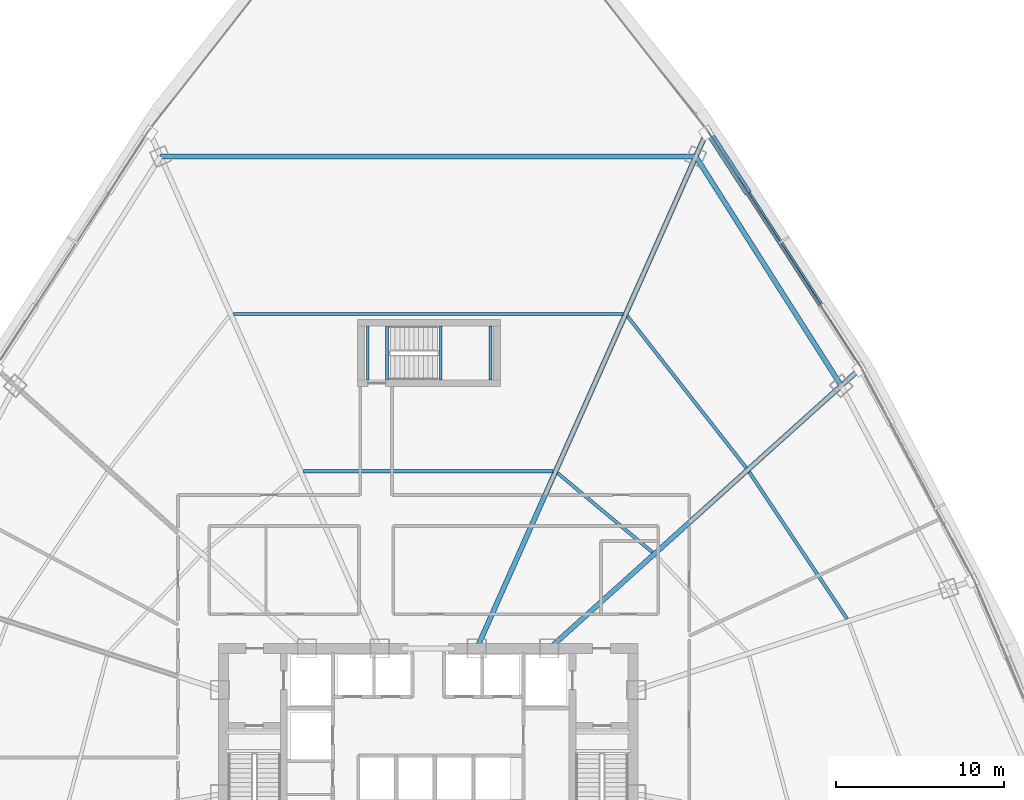
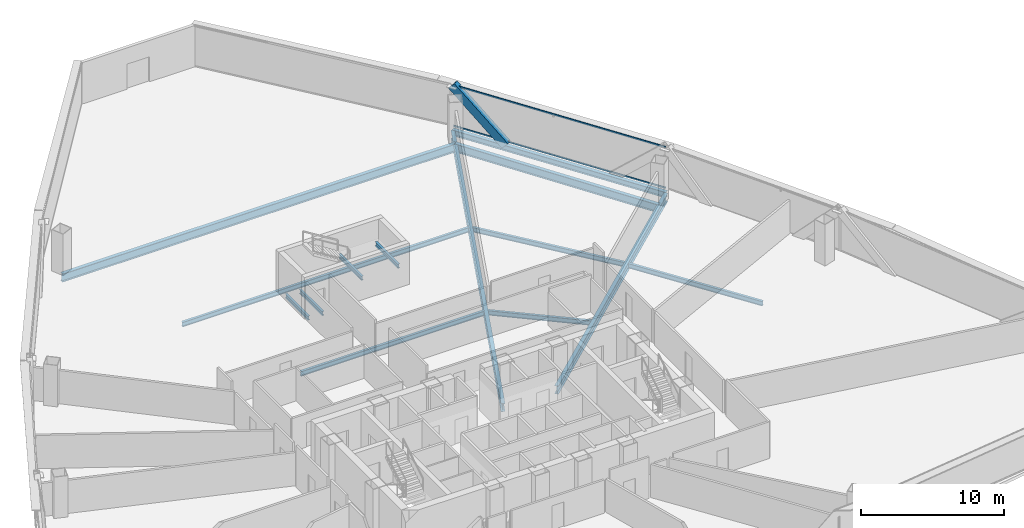
# One storey, part 17 of 36: 14 beams, 3 members, 1 element without a shape of its own.
"""IFC4 building model written with IfcOpenShell, lengths in metres."""

from ifc_helpers import new_model, si_unit, direction, frame, origin, origin_2d, place, context, subcontext, project, spatial, hollow_rectangle, i_section, extrude, source, transform, mapped, material, layer, layer_set, material_profile, profile_set, type_object, element, aggregate, save


model = new_model("IFC4")

# Units and contexts
model_context = context("Model", 3, precision=1e-05, world=origin(), true_north=direction((0.0, 1.0)))
body_context = subcontext(model_context, "Body", "Model", "MODEL_VIEW")
ifc_project = project(units=[si_unit("LENGTHUNIT", "METRE"), si_unit("AREAUNIT", "SQUARE_METRE"), si_unit("VOLUMEUNIT", "CUBIC_METRE"), si_unit("PLANEANGLEUNIT", "RADIAN"), si_unit("MASSUNIT", "GRAM", prefix="KILO"), si_unit("THERMODYNAMICTEMPERATUREUNIT", "KELVIN"), si_unit("POWERUNIT", "WATT")], contexts=[model_context])

# Site, building, storey
site_placement = place(None, origin())
site = spatial("IfcSite", under=ifc_project, at=site_placement, CompositionType="ELEMENT")
building_placement = place(site_placement, origin())
building = spatial("IfcBuilding", under=site, at=building_placement, Name="Yunzhuo Pagoda Commons", CompositionType="ELEMENT")
storey_placement = place(building_placement, frame((0.0, 0.0, 107.780029296875)))
storey = spatial("IfcBuildingStorey", under=building, at=storey_placement, Name="L27", CompositionType="ELEMENT", Elevation=107.780029296875)

# Beams
ifc_material_1 = material(Name="Structural steel Q355B", Category="steel")
ifc_material_profile_1 = material_profile(ifc_material_1, i_section(OverallWidth=0.175048828125, OverallDepth=0.35009765625, WebThickness=0.007080078125, FlangeThickness=0.010986328125, at=origin_2d()), Name="Structural steel Q355B")
ifc_profile_set_1 = profile_set([ifc_material_profile_1], Name="Structural steel Q355B")
beam_type_1 = type_object("IfcBeamType", Name="B-JS2 Joist HN 350x175x7x11", PredefinedType="JOIST", material=ifc_profile_set_1)
shared_shape_1 = source(origin(), body_context, "Body", "SweptSolid", [
    extrude(i_section(OverallWidth=0.175048828125, OverallDepth=0.35009765625, WebThickness=0.007080078125, FlangeThickness=0.010986328125, at=origin_2d()), origin(), (0.0, 0.0, 1.0), 3.199951171875),
])
for number, where, z_axis, x_axis, name in (
    (1, (48.75, 56.199951171875, 1.52490234375), (0.0, 1.0, 0.0), (-1.0, 0.0, 0.0), "L27 ST3 landing support beam 33A"),
    (2, (51.699951171875, 56.199951171875, 1.52490234375), (0.0, 1.0, 0.0), (-1.0, 0.0, 0.0), "L27 ST3 landing support beam 33B"),
    (3, (44.39990234375, 56.199951171875, -0.375), (0.0, 1.0, 0.0), (-1.0, 0.0, 0.0), "L27 ST3 landing support beam 101A"),
    (4, (45.550048828125, 56.199951171875, -0.375), (0.0, 1.0, 0.0), (-1.0, 0.0, 0.0), "L27 ST3 landing support beam 101B"),
):
    element("IfcBeam", number, at=place(storey_placement, frame(where, z_axis=z_axis, x_axis=x_axis)), inside=storey, type_object=beam_type_1, Name=name, PredefinedType="JOIST", context=body_context, shape_type="MappedRepresentation", body=[
        mapped(shared_shape_1, transform((0.0, 0.0, 0.0), scale=1.0)),
    ])
ifc_material_profile_2 = material_profile(ifc_material_1, i_section(OverallWidth=0.300048828125, OverallDepth=0.699951171875, WebThickness=0.012939453125, FlangeThickness=0.02392578125, at=origin_2d()), Name="Structural steel Q355B")
ifc_profile_set_2 = profile_set([ifc_material_profile_2], Name="Structural steel Q355B")
beam_type_2 = type_object("IfcBeamType", Name="B-RG1 Beam HN 700x300x13x24", PredefinedType="BEAM", material=ifc_profile_set_2)
shared_shape_2 = source(origin(), body_context, "Body", "SweptSolid", [
    extrude(i_section(OverallWidth=0.300048828125, OverallDepth=0.699951171875, WebThickness=0.012939453125, FlangeThickness=0.02392578125, at=origin_2d()), origin(), (0.0, 0.0, 1.0), 16.16845703125),
])
beam_1_placement = place(storey_placement, frame((72.602783203125, 55.852294921875, -0.610107421875), z_axis=(-0.535695673154, 0.844411123662, 0.0), x_axis=(-0.844411123662, -0.535695673154, 0.0)))
element("IfcBeam", 5, at=beam_1_placement, inside=storey, type_object=beam_type_2, Name="L27 column-ring beam 7", PredefinedType="BEAM", context=body_context, shape_type="MappedRepresentation", body=[
    mapped(shared_shape_2, transform((0.0, 0.0, 0.0), scale=1.0)),
])
shared_shape_3 = source(origin(), body_context, "Body", "SweptSolid", [
    extrude(i_section(OverallWidth=0.300048828125, OverallDepth=0.699951171875, WebThickness=0.012939453125, FlangeThickness=0.02392578125, at=origin_2d()), origin(), (0.0, 0.0, 1.0), 31.8828125),
])
beam_2_placement = place(storey_placement, frame((63.94140625, 69.505126953125, -0.610107421875), z_axis=(-1.0, 0.0, 0.0), x_axis=(0.0, -1.0, 0.0)))
element("IfcBeam", 6, at=beam_2_placement, inside=storey, type_object=beam_type_2, Name="L27 column-ring beam 8", PredefinedType="BEAM", context=body_context, shape_type="MappedRepresentation", body=[
    mapped(shared_shape_3, transform((0.0, 0.0, 0.0), scale=1.0)),
])
ifc_material_profile_3 = material_profile(ifc_material_1, i_section(OverallWidth=0.199951171875, OverallDepth=0.39990234375, WebThickness=0.008056640625, FlangeThickness=0.012939453125, at=origin_2d()), Name="Structural steel Q355B")
ifc_profile_set_3 = profile_set([ifc_material_profile_3], Name="Structural steel Q355B")
beam_type_3 = type_object("IfcBeamType", Name="B-JS1 Joist HN 400x200x8x13", PredefinedType="JOIST", material=ifc_profile_set_3)
shared_shape_4 = source(origin(), body_context, "Body", "SweptSolid", [
    extrude(i_section(OverallWidth=0.199951171875, OverallDepth=0.39990234375, WebThickness=0.008056640625, FlangeThickness=0.012939453125, at=origin_2d()), origin(), (0.0, 0.0, 1.0), 10.50537109375),
])
beam_3_placement = place(storey_placement, frame((72.95361328125, 41.968994140625, -0.4599609375), z_axis=(-0.554523204193, 0.832168261839, 0.0), x_axis=(-0.832168261839, -0.554523204193, 0.0)))
element("IfcBeam", 7, at=beam_3_placement, inside=storey, type_object=beam_type_3, Name="L27 composite ring joist 2.6", PredefinedType="JOIST", context=body_context, shape_type="MappedRepresentation", body=[
    mapped(shared_shape_4, transform((0.0, 0.0, 0.0), scale=1.0)),
])
shared_shape_5 = source(origin(), body_context, "Body", "SweptSolid", [
    extrude(i_section(OverallWidth=0.199951171875, OverallDepth=0.39990234375, WebThickness=0.008056640625, FlangeThickness=0.012939453125, at=origin_2d()), origin(), (0.0, 0.0, 1.0), 7.350341796875),
])
beam_4_placement = place(storey_placement, frame((61.355224609375, 45.936767578125, -0.4599609375), z_axis=(-0.767589283892, 0.640942034239, 0.0), x_axis=(-0.640942034239, -0.767589283892, 0.0)))
element("IfcBeam", 8, at=beam_4_placement, inside=storey, type_object=beam_type_3, Name="L27 composite ring joist 1.7", PredefinedType="JOIST", context=body_context, shape_type="MappedRepresentation", body=[
    mapped(shared_shape_5, transform((0.0, 0.0, 0.0), scale=1.0)),
])
shared_shape_6 = source(origin(), body_context, "Body", "SweptSolid", [
    extrude(i_section(OverallWidth=0.199951171875, OverallDepth=0.39990234375, WebThickness=0.008056640625, FlangeThickness=0.012939453125, at=origin_2d()), origin(), (0.0, 0.0, 1.0), 11.475830078125),
])
beam_5_placement = place(storey_placement, frame((66.942138671875, 50.96875, -0.4599609375), z_axis=(-0.616739539478, 0.787167288728, 0.0), x_axis=(-0.787167288728, -0.616739539478, 0.0)))
element("IfcBeam", 9, at=beam_5_placement, inside=storey, type_object=beam_type_3, Name="L27 composite ring joist 2.7", PredefinedType="JOIST", context=body_context, shape_type="MappedRepresentation", body=[
    mapped(shared_shape_6, transform((0.0, 0.0, 0.0), scale=1.0)),
])
shared_shape_7 = source(origin(), body_context, "Body", "SweptSolid", [
    extrude(i_section(OverallWidth=0.199951171875, OverallDepth=0.39990234375, WebThickness=0.008056640625, FlangeThickness=0.012939453125, at=origin_2d()), origin(), (0.0, 0.0, 1.0), 14.8642578125),
])
beam_6_placement = place(storey_placement, frame((55.43212890625, 50.749755859375, -0.4599609375), z_axis=(-1.0, 0.0, 0.0), x_axis=(0.0, -1.0, 0.0)))
element("IfcBeam", 10, at=beam_6_placement, inside=storey, type_object=beam_type_3, Name="L27 composite ring joist 1.8", PredefinedType="JOIST", context=body_context, shape_type="MappedRepresentation", body=[
    mapped(shared_shape_7, transform((0.0, 0.0, 0.0), scale=1.0)),
])
shared_shape_8 = source(origin(), body_context, "Body", "SweptSolid", [
    extrude(i_section(OverallWidth=0.199951171875, OverallDepth=0.39990234375, WebThickness=0.008056640625, FlangeThickness=0.012939453125, at=origin_2d()), origin(), (0.0, 0.0, 1.0), 23.21484375),
])
beam_7_placement = place(storey_placement, frame((59.607421875, 60.12744140625, -0.4599609375), z_axis=(-1.0, 0.0, 0.0), x_axis=(0.0, -1.0, 0.0)))
element("IfcBeam", 11, at=beam_7_placement, inside=storey, type_object=beam_type_3, Name="L27 composite ring joist 2.8", PredefinedType="JOIST", context=body_context, shape_type="MappedRepresentation", body=[
    mapped(shared_shape_8, transform((0.0, 0.0, 0.0), scale=1.0)),
])
shared_shape_9 = source(origin(), body_context, "Body", "SweptSolid", [
    extrude(i_section(OverallWidth=0.300048828125, OverallDepth=0.699951171875, WebThickness=0.012939453125, FlangeThickness=0.02392578125, at=origin_2d()), origin(), (0.0, 0.0, 1.0), 24.849853515625),
])
beam_8_placement = place(storey_placement, frame((73.68603515625, 56.827880859375, -0.610107421875), z_axis=(-0.743142198671, -0.669133523712, 0.0), x_axis=(0.669133523712, -0.743142198671, 0.0)))
element("IfcBeam", 12, at=beam_8_placement, inside=storey, type_object=beam_type_2, Name="L27 radial floor girder F2C3", PredefinedType="BEAM", context=body_context, shape_type="MappedRepresentation", body=[
    mapped(shared_shape_9, transform((0.0, 0.0, 0.0), scale=1.0)),
])
shared_shape_10 = source(origin(), body_context, "Body", "SweptSolid", [
    extrude(i_section(OverallWidth=0.300048828125, OverallDepth=0.699951171875, WebThickness=0.012939453125, FlangeThickness=0.02392578125, at=origin_2d()), origin(), (0.0, 0.0, 1.0), 33.631591796875),
])
beam_9_placement = place(storey_placement, frame((64.5732421875, 70.924072265625, -0.610107421875), z_axis=(-0.406735133761, -0.913546129631, 0.0), x_axis=(0.913546129631, -0.406735133761, 0.0)))
element("IfcBeam", 13, at=beam_9_placement, inside=storey, type_object=beam_type_2, Name="L27 radial floor girder F2C4", PredefinedType="BEAM", context=body_context, shape_type="MappedRepresentation", body=[
    mapped(shared_shape_10, transform((0.0, 0.0, 0.0), scale=1.0)),
])
ifc_material_profile_4 = material_profile(ifc_material_1, i_section(OverallWidth=0.300048828125, OverallDepth=0.488037109375, WebThickness=0.010986328125, FlangeThickness=0.01806640625, at=origin_2d()), Name="Structural steel Q355B")
ifc_profile_set_4 = profile_set([ifc_material_profile_4], Name="Structural steel Q355B")
beam_type_4 = type_object("IfcBeamType", Name="B-SP1 Beam HM 488x300x11x18", PredefinedType="BEAM", material=ifc_profile_set_4)
shared_shape_11 = source(origin(), body_context, "Body", "SweptSolid", [
    extrude(i_section(OverallWidth=0.300048828125, OverallDepth=0.488037109375, WebThickness=0.010986328125, FlangeThickness=0.01806640625, at=origin_2d()), origin(), (0.0, 0.0, 1.0), 16.845458984375),
])
beam_10_placement = place(storey_placement, frame((73.801513671875, 56.931640625, -0.504150390625), z_axis=(-0.544066481819, 0.839042110601, 0.0), x_axis=(-0.839042110601, -0.544066481819, 0.0)))
element("IfcBeam", 14, at=beam_10_placement, inside=storey, type_object=beam_type_4, Name="L27 facade edge spandrel beam F2.3", PredefinedType="BEAM", context=body_context, shape_type="MappedRepresentation", body=[
    mapped(shared_shape_11, transform((0.0, 0.0, 0.0), scale=1.0)),
])

# Member
ifc_material_2 = material(Name="Structural steel Q420B", Category="steel")
ifc_material_profile_5 = material_profile(ifc_material_2, hollow_rectangle(XDim=0.419921875, YDim=0.719970703125, WallThickness=0.028076171875, at=origin_2d()), Name="Structural steel Q420B")
ifc_profile_set_5 = profile_set([ifc_material_profile_5], Name="Structural steel Q420B")
member_type_1 = type_object("IfcMemberType", Name="M-DL1 Brace BOX 720x420x28", PredefinedType="BRACE", material=ifc_profile_set_5)
shared_shape_12 = source(origin(), body_context, "Body", "SweptSolid", [
    extrude(hollow_rectangle(XDim=0.419921875, YDim=0.719970703125, WallThickness=0.028076171875, at=origin_2d()), origin(), (0.0, 0.0, 1.0), 5.672119140625),
])
member_1_placement = place(storey_placement, frame((66.927490234375, 67.531982421875, -0.259765625), z_axis=(-0.403900025819, 0.62298049592, 0.66989556712), x_axis=(-0.839081442217, -0.544005821042, 0.0)))
element("IfcMember", 15, at=member_1_placement, inside=storey, type_object=member_type_1, Name="L27 facade diamond brace F2.3R", PredefinedType="BRACE", context=body_context, shape_type="MappedRepresentation", body=[
    mapped(shared_shape_12, transform((0.0, 0.0, 0.0), scale=1.0)),
])

# Curtain wall, members
ifc_material_3 = material(Name="Anodized aluminium 6063-T6", Category="aluminium")
ifc_layer = layer(ifc_material_3, 0.1650390625)
ifc_layer_set = layer_set([ifc_layer], Name="Anodized aluminium 6063-T6")
curtain_wall_type = type_object("IfcCurtainWallType", Name="CW-LOW Low-Zone Ribbon Curtain Wall", PredefinedType="NOTDEFINED", material=ifc_layer_set)
curtain_wall_placement = place(storey_placement, origin())
curtain_wall = element("IfcCurtainWall", 16, at=curtain_wall_placement, inside=storey, type_object=curtain_wall_type, Name="L27 curtain wall CW-L27-F2B4", PredefinedType="NOTDEFINED")
ifc_material_profile_6 = material_profile(ifc_material_3, hollow_rectangle(XDim=0.06005859375, YDim=0.139892578125, WallThickness=0.00341796875, at=origin_2d()), Name="Anodized aluminium 6063-T6")
ifc_profile_set_6 = profile_set([ifc_material_profile_6], Name="Anodized aluminium 6063-T6")
member_type_2 = type_object("IfcMemberType", Name="CW-LOW-T Transom RHS 140x60x3.5", PredefinedType="USERDEFINED", material=ifc_profile_set_6)
shared_shape_13 = source(origin(), body_context, "Body", "SweptSolid", [
    extrude(hollow_rectangle(XDim=0.06005859375, YDim=0.139892578125, WallThickness=0.00341796875, at=origin_2d()), origin(), (0.0, 0.0, 1.0), 16.71533203125),
])
member_2_placement = place(storey_placement, frame((73.765869140625, 56.986083984375, 0.030029296875), z_axis=(-0.544064956153, 0.839043099898, 0.0), x_axis=(-0.839043099898, -0.544064956153, 0.0)))
member_2 = element("IfcMember", 17, at=member_2_placement, type_object=member_type_2, Name="CW transom 1.1", ObjectType="TRANSOM", PredefinedType="USERDEFINED", context=body_context, shape_type="MappedRepresentation", body=[
    mapped(shared_shape_13, transform((0.0, 0.0, 0.0), scale=1.0)),
])
member_3_placement = place(storey_placement, frame((73.765869140625, 56.986083984375, 3.510009765625), z_axis=(-0.544064956153, 0.839043099898, 0.0), x_axis=(-0.839043099898, -0.544064956153, 0.0)))
member_3 = element("IfcMember", 18, at=member_3_placement, type_object=member_type_2, Name="CW transom 1.2", ObjectType="TRANSOM", PredefinedType="USERDEFINED", context=body_context, shape_type="MappedRepresentation", body=[
    mapped(shared_shape_13, transform((0.0, 0.0, 0.0), scale=1.0)),
])
aggregate(curtain_wall, [member_2, member_3])

save(model, "model.ifc")
